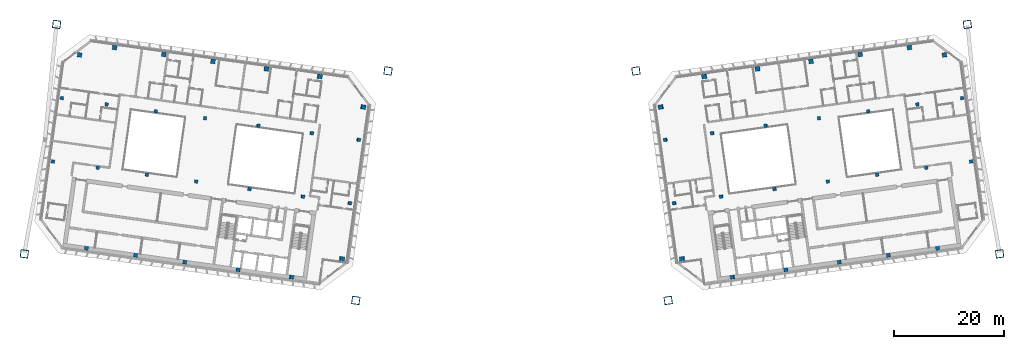
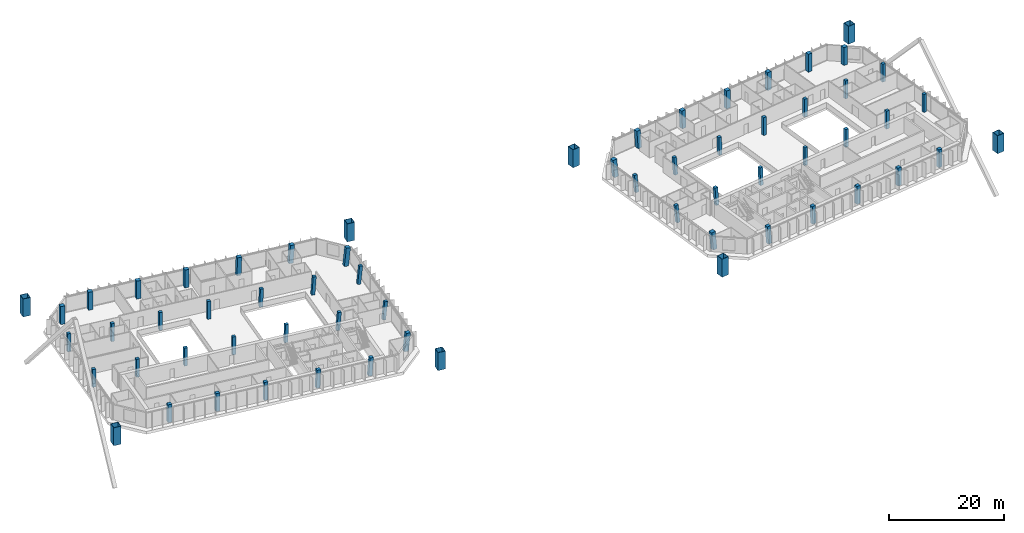
# One storey, part 1 of 23: 62 columns.
"""IFC4 building model written with IfcOpenShell, lengths in metres."""

from ifc_helpers import new_model, si_unit, direction, frame, origin, origin_2d, place, context, subcontext, project, spatial, rectangle, hollow_rectangle, extrude, material, material_profile, profile_set, type_object, element, save


model = new_model("IFC4")

# Units and contexts
model_context = context("Model", 3, precision=1e-05, world=origin(), true_north=direction((0.0, 1.0)))
body_context = subcontext(model_context, "Body", "Model", "MODEL_VIEW")
ifc_project = project(units=[si_unit("LENGTHUNIT", "METRE"), si_unit("AREAUNIT", "SQUARE_METRE"), si_unit("VOLUMEUNIT", "CUBIC_METRE"), si_unit("PLANEANGLEUNIT", "RADIAN"), si_unit("MASSUNIT", "GRAM", prefix="KILO")], contexts=[model_context])

# Site, building, storey
site_placement = place(None, origin())
site = spatial("IfcSite", under=ifc_project, at=site_placement, CompositionType="ELEMENT")
building_placement = place(site_placement, origin())
building = spatial("IfcBuilding", under=site, at=building_placement, Name="Mirante Cascada Hotel Towers", CompositionType="ELEMENT")
storey_placement = place(building_placement, frame((0.0, 0.0, 195.4)))
storey = spatial("IfcBuildingStorey", under=building, at=storey_placement, Name="L46", CompositionType="ELEMENT", Elevation=195.4)

# Columns
ifc_material_1 = material(Name="Steel ASTM A572 Gr 50", Category="steel")
ifc_material_profile_1 = material_profile(ifc_material_1, hollow_rectangle(XDim=1.4, YDim=1.4, WallThickness=0.06, at=origin_2d()), Name="Box column 1400x1400x60 ASTM A572 Gr 50")
ifc_profile_set_1 = profile_set([ifc_material_profile_1], Name="Steel ASTM A572 Gr 50")
column_type_1 = type_object("IfcColumnType", Name="Box column 1400x1400x60 ASTM A572 Gr 50", PredefinedType="COLUMN", material=ifc_profile_set_1)
for number, where, z_axis, x_axis, name in (
    (1, (-22.4653, 18.1474, 0.0), (0.0, 0.0, 1.0), (-0.9902681, 0.1391731, 0.0), "Mega column MC1 T1 L46"),
    (2, (-28.3106, -23.4438, 0.0), (0.0, 0.0, 1.0), (-0.9902681, 0.1391731, 0.0), "Mega column MC2 T1 L46"),
    (3, (-82.5324, 26.5893, 0.0), (0.0, 0.0, 1.0), (-0.9902681, 0.1391731, 0.0), "Mega column MC3 T1 L46"),
    (4, (-88.3776, -15.0019, 0.0), (0.0, 0.0, 1.0), (-0.9902681, 0.1391731, 0.0), "Mega column MC4 T1 L46"),
    (5, (22.4653, 18.1474, 0.0), (0.0, 0.0, 1.0), (0.9902681, 0.1391731, 0.0), "Mega column MC1 T2 L46"),
    (6, (28.3106, -23.4438, 0.0), (0.0, 0.0, 1.0), (0.9902681, 0.1391731, 0.0), "Mega column MC2 T2 L46"),
    (7, (82.5324, 26.5893, 0.0), (0.0, 0.0, 1.0), (0.9902681, 0.1391731, 0.0), "Mega column MC3 T2 L46"),
    (8, (88.3776, -15.0019, 0.0), (0.0, 0.0, 1.0), (0.9902681, 0.1391731, 0.0), "Mega column MC4 T2 L46"),
):
    element("IfcColumn", number, at=place(storey_placement, frame(where, z_axis=z_axis, x_axis=x_axis)), inside=storey, type_object=column_type_1, Name=name, PredefinedType="COLUMN", context=body_context, shape_type="SweptSolid", body=[
        extrude(hollow_rectangle(XDim=1.4, YDim=1.4, WallThickness=0.06, at=origin_2d()), origin(), (0.0, 0.0, 1.0), 3.8),
    ])
ifc_material_2 = material(Name="Concrete C50/60", Category="concrete")
ifc_material_profile_2 = material_profile(ifc_material_2, rectangle(XDim=0.6, YDim=0.6, at=origin_2d()), Name="RC column 600x600 C50/60")
ifc_profile_set_2 = profile_set([ifc_material_profile_2], Name="Concrete C50/60")
column_type_2 = type_object("IfcColumnType", Name="RC column 600x600 C50/60", PredefinedType="COLUMN", material=ifc_profile_set_2)
for number, where, z_axis, x_axis, name in (
    (9, (-27.8415, 5.6743, 0.004), (0.0976754, -0.0137249, 0.9951237), (0.1391488, 0.9902715, 0.0), "Column T1 L46 2"),
    (10, (-29.4559, -5.8128, 0.004), (0.0976754, -0.0137249, 0.9951237), (0.1391488, 0.9902715, 0.0), "Column T1 L46 3"),
):
    element("IfcColumn", number, at=place(storey_placement, frame(where, z_axis=z_axis, x_axis=x_axis)), inside=storey, type_object=column_type_2, Name=name, PredefinedType="COLUMN", context=body_context, shape_type="SweptSolid", body=[
        extrude(rectangle(XDim=0.6, YDim=0.6, at=origin_2d()), origin(), (0.0, 0.0, 1.0), 3.8106),
    ])
for number, where, z_axis, x_axis, name in (
    (11, (-36.3301, 6.8673, 0.004), (0.0713332, -0.0100214, 0.9974022), (0.1391206, 0.9902755, 0.0), "Column T1 L46 6"),
    (12, (-37.9445, -4.6198, 0.004), (0.0713332, -0.0100477, 0.9974019), (0.1394786, 0.9902251, 0.0), "Column T1 L46 7"),
):
    element("IfcColumn", number, at=place(storey_placement, frame(where, z_axis=z_axis, x_axis=x_axis)), inside=storey, type_object=column_type_2, Name=name, PredefinedType="COLUMN", context=body_context, shape_type="SweptSolid", body=[
        extrude(rectangle(XDim=0.6, YDim=0.6, at=origin_2d()), origin(), (0.0, 0.0, 1.0), 3.8019),
    ])
for number, where, z_axis, x_axis, name in (
    (13, (-45.9839, 8.224, 0.004), (0.0357362, -0.0050073, 0.9993487), (0.1387624, 0.9903257, 0.0), "Column T1 L46 10"),
    (14, (-47.5983, -3.2631, 0.004), (0.0357362, -0.0050073, 0.9993487), (0.1387624, 0.9903257, 0.0), "Column T1 L46 11"),
):
    element("IfcColumn", number, at=place(storey_placement, frame(where, z_axis=z_axis, x_axis=x_axis)), inside=storey, type_object=column_type_2, Name=name, PredefinedType="COLUMN", context=body_context, shape_type="SweptSolid", body=[
        extrude(rectangle(XDim=0.6, YDim=0.6, at=origin_2d()), origin(), (0.0, 0.0, 1.0), 3.7945),
    ])
for number, where, z_axis, x_axis, name in (
    (15, (-55.6378, 9.5808, 0.0), (0.0, 0.0, 1.0), (-0.9902681, 0.1391731, 0.0), "Column T1 L46 14"),
    (16, (-57.2522, -1.9063, 0.0), (0.0, 0.0, 1.0), (-0.9902681, 0.1391731, 0.0), "Column T1 L46 15"),
    (17, (-64.5502, 10.8333, 0.0), (0.0, 0.0, 1.0), (-0.9902681, 0.1391731, 0.0), "Column T1 L46 18"),
    (18, (-66.1646, -0.6538, 0.0), (0.0, 0.0, 1.0), (-0.9902681, 0.1391731, 0.0), "Column T1 L46 19"),
    (19, (-73.4626, 12.0859, 0.0), (0.0, 0.0, 1.0), (-0.9902681, 0.1391731, 0.0), "Column T1 L46 22"),
    (20, (-75.077, 0.5988, 0.0), (0.0, 0.0, 1.0), (-0.9902681, 0.1391731, 0.0), "Column T1 L46 23"),
    (21, (-81.5828, 13.2271, 0.0), (0.0, 0.0, 1.0), (-0.9902681, 0.1391731, 0.0), "Column T1 L46 26"),
    (22, (-83.1972, 1.74, 0.0), (0.0, 0.0, 1.0), (-0.9902681, 0.1391731, 0.0), "Column T1 L46 27"),
):
    element("IfcColumn", number, at=place(storey_placement, frame(where, z_axis=z_axis, x_axis=x_axis)), inside=storey, type_object=column_type_2, Name=name, PredefinedType="COLUMN", context=body_context, shape_type="SweptSolid", body=[
        extrude(rectangle(XDim=0.6, YDim=0.6, at=origin_2d()), origin(), (0.0, 0.0, 1.0), 3.8),
    ])
for number, where, z_axis, x_axis, name in (
    (23, (27.8415, 5.6743, 0.004), (-0.0976754, -0.0137249, 0.9951237), (0.1391488, -0.9902715, 0.0), "Column T2 L46 2"),
    (24, (29.4559, -5.8128, 0.004), (-0.0976754, -0.0137249, 0.9951237), (0.1391488, -0.9902715, 0.0), "Column T2 L46 3"),
):
    element("IfcColumn", number, at=place(storey_placement, frame(where, z_axis=z_axis, x_axis=x_axis)), inside=storey, type_object=column_type_2, Name=name, PredefinedType="COLUMN", context=body_context, shape_type="SweptSolid", body=[
        extrude(rectangle(XDim=0.6, YDim=0.6, at=origin_2d()), origin(), (0.0, 0.0, 1.0), 3.8106),
    ])
for number, where, z_axis, x_axis, name in (
    (25, (36.3301, 6.8673, 0.004), (-0.0713332, -0.0100214, 0.9974022), (0.1391206, -0.9902755, 0.0), "Column T2 L46 6"),
    (26, (37.9445, -4.6198, 0.004), (-0.0713332, -0.0100477, 0.9974019), (0.1394786, -0.9902251, 0.0), "Column T2 L46 7"),
):
    element("IfcColumn", number, at=place(storey_placement, frame(where, z_axis=z_axis, x_axis=x_axis)), inside=storey, type_object=column_type_2, Name=name, PredefinedType="COLUMN", context=body_context, shape_type="SweptSolid", body=[
        extrude(rectangle(XDim=0.6, YDim=0.6, at=origin_2d()), origin(), (0.0, 0.0, 1.0), 3.8019),
    ])
for number, where, z_axis, x_axis, name in (
    (27, (45.9839, 8.224, 0.004), (-0.0357362, -0.0050073, 0.9993487), (0.1387624, -0.9903257, 0.0), "Column T2 L46 10"),
    (28, (47.5983, -3.2631, 0.004), (-0.0357362, -0.0050073, 0.9993487), (0.1387624, -0.9903257, 0.0), "Column T2 L46 11"),
):
    element("IfcColumn", number, at=place(storey_placement, frame(where, z_axis=z_axis, x_axis=x_axis)), inside=storey, type_object=column_type_2, Name=name, PredefinedType="COLUMN", context=body_context, shape_type="SweptSolid", body=[
        extrude(rectangle(XDim=0.6, YDim=0.6, at=origin_2d()), origin(), (0.0, 0.0, 1.0), 3.7945),
    ])
for number, where, z_axis, x_axis, name in (
    (29, (55.6378, 9.5808, 0.0), (0.0, 0.0, 1.0), (0.9902681, 0.1391731, 0.0), "Column T2 L46 14"),
    (30, (57.2522, -1.9063, 0.0), (0.0, 0.0, 1.0), (0.9902681, 0.1391731, 0.0), "Column T2 L46 15"),
    (31, (64.5502, 10.8333, 0.0), (0.0, 0.0, 1.0), (0.9902681, 0.1391731, 0.0), "Column T2 L46 18"),
    (32, (66.1646, -0.6538, 0.0), (0.0, 0.0, 1.0), (0.9902681, 0.1391731, 0.0), "Column T2 L46 19"),
    (33, (73.4626, 12.0859, 0.0), (0.0, 0.0, 1.0), (0.9902681, 0.1391731, 0.0), "Column T2 L46 22"),
    (34, (75.077, 0.5988, 0.0), (0.0, 0.0, 1.0), (0.9902681, 0.1391731, 0.0), "Column T2 L46 23"),
    (35, (81.5828, 13.2271, 0.0), (0.0, 0.0, 1.0), (0.9902681, 0.1391731, 0.0), "Column T2 L46 26"),
    (36, (83.1972, 1.74, 0.0), (0.0, 0.0, 1.0), (0.9902681, 0.1391731, 0.0), "Column T2 L46 27"),
):
    element("IfcColumn", number, at=place(storey_placement, frame(where, z_axis=z_axis, x_axis=x_axis)), inside=storey, type_object=column_type_2, Name=name, PredefinedType="COLUMN", context=body_context, shape_type="SweptSolid", body=[
        extrude(rectangle(XDim=0.6, YDim=0.6, at=origin_2d()), origin(), (0.0, 0.0, 1.0), 3.8),
    ])
ifc_material_3 = material(Name="Concrete C50/60", Category="concrete")
ifc_material_profile_3 = material_profile(ifc_material_3, rectangle(XDim=0.7, YDim=0.7, at=origin_2d()), Name="RC column 700x700 C50/60")
ifc_profile_set_3 = profile_set([ifc_material_profile_3], Name="Concrete C50/60")
column_type_3 = type_object("IfcColumnType", Name="RC column 700x700 C50/60", PredefinedType="COLUMN", material=ifc_profile_set_3)
column_1_placement = place(storey_placement, frame((-39.9973, -19.2263, 0.004), z_axis=(0.0713332, -0.0100214, 0.9974022), x_axis=(0.1391206, 0.9902755, 0.0)))
element("IfcColumn", 37, at=column_1_placement, inside=storey, type_object=column_type_3, Name="Column T1 L46 8", PredefinedType="COLUMN", context=body_context, shape_type="SweptSolid", body=[
    extrude(rectangle(XDim=0.7, YDim=0.7, at=origin_2d()), origin(), (0.0, 0.0, 1.0), 3.8019),
])
column_2_placement = place(storey_placement, frame((-49.6511, -17.8695, 0.004), z_axis=(0.0357362, -0.0050336, 0.9993486), x_axis=(0.1394786, 0.9902251, 0.0)))
element("IfcColumn", 38, at=column_2_placement, inside=storey, type_object=column_type_3, Name="Column T1 L46 12", PredefinedType="COLUMN", context=body_context, shape_type="SweptSolid", body=[
    extrude(rectangle(XDim=0.7, YDim=0.7, at=origin_2d()), origin(), (0.0, 0.0, 1.0), 3.7945),
])
for number, where, z_axis, x_axis, name in (
    (39, (-59.305, -16.5128, 0.0), (0.0, 0.0, 1.0), (-0.9902681, 0.1391731, 0.0), "Column T1 L46 16"),
    (40, (-68.2174, -15.2602, 0.0), (0.0, 0.0, 1.0), (-0.9902681, 0.1391731, 0.0), "Column T1 L46 20"),
    (41, (-77.1298, -14.0077, 0.0), (0.0, 0.0, 1.0), (-0.9902681, 0.1391731, 0.0), "Column T1 L46 24"),
):
    element("IfcColumn", number, at=place(storey_placement, frame(where, z_axis=z_axis, x_axis=x_axis)), inside=storey, type_object=column_type_3, Name=name, PredefinedType="COLUMN", context=body_context, shape_type="SweptSolid", body=[
        extrude(rectangle(XDim=0.7, YDim=0.7, at=origin_2d()), origin(), (0.0, 0.0, 1.0), 3.8),
    ])
column_3_placement = place(storey_placement, frame((39.9973, -19.2263, 0.004), z_axis=(-0.0713332, -0.0100214, 0.9974022), x_axis=(0.1391206, -0.9902755, 0.0)))
element("IfcColumn", 42, at=column_3_placement, inside=storey, type_object=column_type_3, Name="Column T2 L46 8", PredefinedType="COLUMN", context=body_context, shape_type="SweptSolid", body=[
    extrude(rectangle(XDim=0.7, YDim=0.7, at=origin_2d()), origin(), (0.0, 0.0, 1.0), 3.8019),
])
column_4_placement = place(storey_placement, frame((49.6511, -17.8695, 0.004), z_axis=(-0.0357362, -0.0050336, 0.9993486), x_axis=(0.1394786, -0.9902251, 0.0)))
element("IfcColumn", 43, at=column_4_placement, inside=storey, type_object=column_type_3, Name="Column T2 L46 12", PredefinedType="COLUMN", context=body_context, shape_type="SweptSolid", body=[
    extrude(rectangle(XDim=0.7, YDim=0.7, at=origin_2d()), origin(), (0.0, 0.0, 1.0), 3.7945),
])
for number, where, z_axis, x_axis, name in (
    (44, (59.305, -16.5128, 0.0), (0.0, 0.0, 1.0), (0.9902681, 0.1391731, 0.0), "Column T2 L46 16"),
    (45, (68.2174, -15.2602, 0.0), (0.0, 0.0, 1.0), (0.9902681, 0.1391731, 0.0), "Column T2 L46 20"),
    (46, (77.1298, -14.0077, 0.0), (0.0, 0.0, 1.0), (0.9902681, 0.1391731, 0.0), "Column T2 L46 24"),
):
    element("IfcColumn", number, at=place(storey_placement, frame(where, z_axis=z_axis, x_axis=x_axis)), inside=storey, type_object=column_type_3, Name=name, PredefinedType="COLUMN", context=body_context, shape_type="SweptSolid", body=[
        extrude(rectangle(XDim=0.7, YDim=0.7, at=origin_2d()), origin(), (0.0, 0.0, 1.0), 3.8),
    ])
ifc_material_4 = material(Name="Concrete C50/60", Category="concrete")
ifc_material_profile_4 = material_profile(ifc_material_4, rectangle(XDim=0.8, YDim=0.8, at=origin_2d()), Name="RC column 800x800 C50/60")
ifc_profile_set_4 = profile_set([ifc_material_profile_4], Name="Concrete C50/60")
column_type_4 = type_object("IfcColumnType", Name="RC column 800x800 C50/60", PredefinedType="COLUMN", material=ifc_profile_set_4)
for number, where, z_axis, x_axis, name in (
    (47, (-27.0064, 11.6159, 0.004), (0.0976754, -0.0137249, 0.9951237), (0.1391488, 0.9902715, 0.0), "Column T1 L46 1"),
    (48, (-30.8754, -15.9136, 0.004), (0.0976494, -0.013725, 0.9951262), (0.1391855, 0.9902663, 0.0), "Column T1 L46 4"),
):
    element("IfcColumn", number, at=place(storey_placement, frame(where, z_axis=z_axis, x_axis=x_axis)), inside=storey, type_object=column_type_4, Name=name, PredefinedType="COLUMN", context=body_context, shape_type="SweptSolid", body=[
        extrude(rectangle(XDim=0.8, YDim=0.8, at=origin_2d()), origin(), (0.0, 0.0, 1.0), 3.8106),
    ])
column_5_placement = place(storey_placement, frame((-34.8827, 17.1661, 0.004), z_axis=(0.0713332, -0.0100477, 0.9974019), x_axis=(0.1394786, 0.9902251, 0.0)))
element("IfcColumn", 49, at=column_5_placement, inside=storey, type_object=column_type_4, Name="Column T1 L46 5", PredefinedType="COLUMN", context=body_context, shape_type="SweptSolid", body=[
    extrude(rectangle(XDim=0.8, YDim=0.8, at=origin_2d()), origin(), (0.0, 0.0, 1.0), 3.8019),
])
column_6_placement = place(storey_placement, frame((-44.5365, 18.5228, 0.004), z_axis=(0.0357362, -0.0050073, 0.9993487), x_axis=(0.1387624, 0.9903257, 0.0)))
element("IfcColumn", 50, at=column_6_placement, inside=storey, type_object=column_type_4, Name="Column T1 L46 9", PredefinedType="COLUMN", context=body_context, shape_type="SweptSolid", body=[
    extrude(rectangle(XDim=0.8, YDim=0.8, at=origin_2d()), origin(), (0.0, 0.0, 1.0), 3.7945),
])
for number, where, z_axis, x_axis, name in (
    (51, (-54.1904, 19.8796, 0.0), (0.0, 0.0, 1.0), (-0.9902681, 0.1391731, 0.0), "Column T1 L46 13"),
    (52, (-63.1028, 21.1321, 0.0), (0.0, 0.0, 1.0), (-0.9902681, 0.1391731, 0.0), "Column T1 L46 17"),
    (53, (-72.0152, 22.3847, 0.0), (0.0, 0.0, 1.0), (-0.9902681, 0.1391731, 0.0), "Column T1 L46 21"),
    (54, (-78.362, 21.0551, 0.0), (0.0, 0.0, 1.0), (-0.9902681, 0.1391731, 0.0), "Column T1 L46 25"),
):
    element("IfcColumn", number, at=place(storey_placement, frame(where, z_axis=z_axis, x_axis=x_axis)), inside=storey, type_object=column_type_4, Name=name, PredefinedType="COLUMN", context=body_context, shape_type="SweptSolid", body=[
        extrude(rectangle(XDim=0.8, YDim=0.8, at=origin_2d()), origin(), (0.0, 0.0, 1.0), 3.8),
    ])
for number, where, z_axis, x_axis, name in (
    (55, (27.0064, 11.6159, 0.004), (-0.0976754, -0.0137249, 0.9951237), (0.1391488, -0.9902715, 0.0), "Column T2 L46 1"),
    (56, (30.8754, -15.9136, 0.004), (-0.0976494, -0.013725, 0.9951262), (0.1391855, -0.9902663, 0.0), "Column T2 L46 4"),
):
    element("IfcColumn", number, at=place(storey_placement, frame(where, z_axis=z_axis, x_axis=x_axis)), inside=storey, type_object=column_type_4, Name=name, PredefinedType="COLUMN", context=body_context, shape_type="SweptSolid", body=[
        extrude(rectangle(XDim=0.8, YDim=0.8, at=origin_2d()), origin(), (0.0, 0.0, 1.0), 3.8106),
    ])
column_7_placement = place(storey_placement, frame((34.8827, 17.1661, 0.004), z_axis=(-0.0713332, -0.0100477, 0.9974019), x_axis=(0.1394786, -0.9902251, 0.0)))
element("IfcColumn", 57, at=column_7_placement, inside=storey, type_object=column_type_4, Name="Column T2 L46 5", PredefinedType="COLUMN", context=body_context, shape_type="SweptSolid", body=[
    extrude(rectangle(XDim=0.8, YDim=0.8, at=origin_2d()), origin(), (0.0, 0.0, 1.0), 3.8019),
])
column_8_placement = place(storey_placement, frame((44.5365, 18.5228, 0.004), z_axis=(-0.0357362, -0.0050073, 0.9993487), x_axis=(0.1387624, -0.9903257, 0.0)))
element("IfcColumn", 58, at=column_8_placement, inside=storey, type_object=column_type_4, Name="Column T2 L46 9", PredefinedType="COLUMN", context=body_context, shape_type="SweptSolid", body=[
    extrude(rectangle(XDim=0.8, YDim=0.8, at=origin_2d()), origin(), (0.0, 0.0, 1.0), 3.7945),
])
for number, where, z_axis, x_axis, name in (
    (59, (54.1904, 19.8796, 0.0), (0.0, 0.0, 1.0), (0.9902681, 0.1391731, 0.0), "Column T2 L46 13"),
    (60, (63.1028, 21.1321, 0.0), (0.0, 0.0, 1.0), (0.9902681, 0.1391731, 0.0), "Column T2 L46 17"),
    (61, (72.0152, 22.3847, 0.0), (0.0, 0.0, 1.0), (0.9902681, 0.1391731, 0.0), "Column T2 L46 21"),
    (62, (78.362, 21.0551, 0.0), (0.0, 0.0, 1.0), (0.9902681, 0.1391731, 0.0), "Column T2 L46 25"),
):
    element("IfcColumn", number, at=place(storey_placement, frame(where, z_axis=z_axis, x_axis=x_axis)), inside=storey, type_object=column_type_4, Name=name, PredefinedType="COLUMN", context=body_context, shape_type="SweptSolid", body=[
        extrude(rectangle(XDim=0.8, YDim=0.8, at=origin_2d()), origin(), (0.0, 0.0, 1.0), 3.8),
    ])

save(model, "model.ifc")
